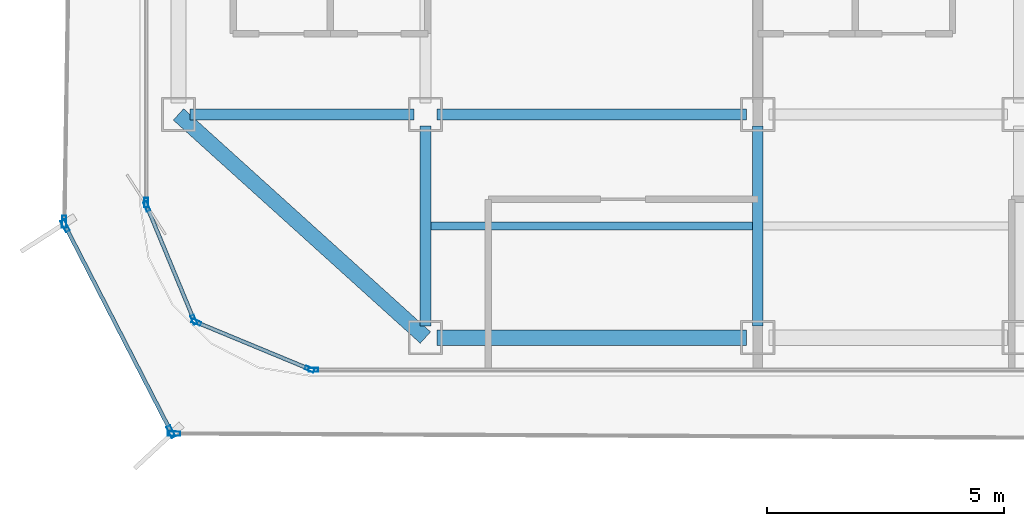
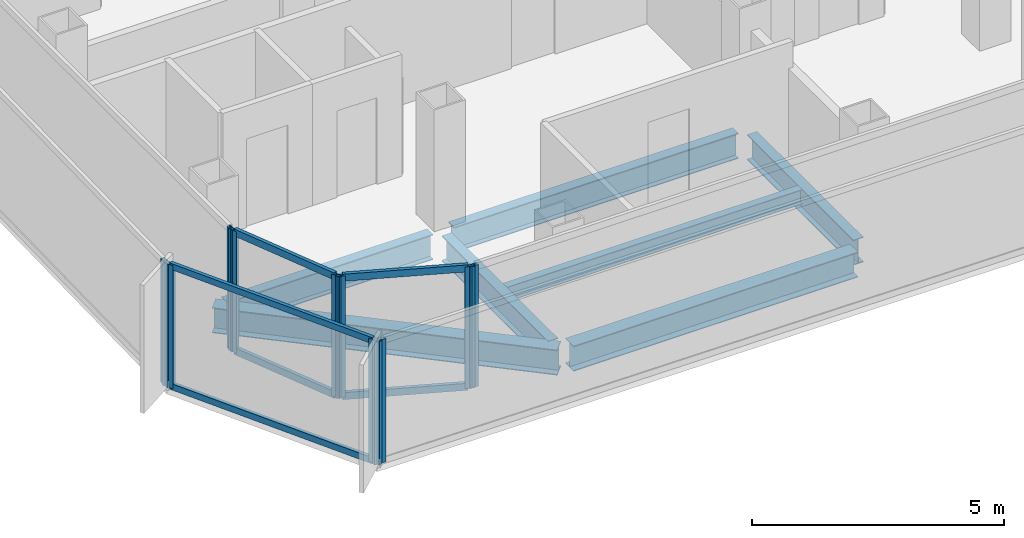
# One storey, part 2 of 16: 16 members, 7 beams, 7 elements without a shape of their own.
"""IFC4 building model written with IfcOpenShell, lengths in metres."""

import ifcopenshell
import ifcopenshell.guid

model = None  # the IFC model being written
_history = None  # IfcOwnerHistory: only IFC2X3 demands one
_inside = {}  # id of a spatial element -> (the spatial element, [elements in it])
_under = {}  # id of a project, library or spatial element -> (it, [spatial elements below it])
_declared = {}  # id of a project -> (the project, [libraries it declares])
_typed = {}  # id of a type object -> (the type object, [elements of that type])
_made_of = {}  # id of a material, layer set ... -> (it, [elements and type objects made of it])


def new_model(schema):
    """Start an empty IFC model of exactly this schema.

    Asked for "IFC4X3", IfcOpenShell would pick the latest addendum, in which some entities
    have other attributes; the version numbers below select the first issue.
    IFC2X3 requires an IfcOwnerHistory on every rooted entity: one is made here for all.
    """
    global model, _history
    if schema == "IFC4X3":
        model = ifcopenshell.file(schema_version=(4, 3, 0, 0))
    else:
        model = ifcopenshell.file(schema=schema)
    _inside.clear()
    _under.clear()
    _declared.clear()
    _typed.clear()
    _made_of.clear()
    _history = None
    if model.schema == "IFC2X3":
        org = make("IfcOrganization", Name="unknown")
        user = make(
            "IfcPersonAndOrganization",
            ThePerson=make("IfcPerson", FamilyName="unknown"),
            TheOrganization=org,
        )
        app = make(
            "IfcApplication",
            ApplicationDeveloper=org,
            Version="unknown",
            ApplicationFullName="unknown",
            ApplicationIdentifier="unknown",
        )
        _history = make(
            "IfcOwnerHistory",
            OwningUser=user,
            OwningApplication=app,
            ChangeAction="ADDED",
            CreationDate=0,
        )
    return model


def make(cls, **values):
    """One entity of the class cls with the attributes given. An attribute that is None is left unset."""
    return model.create_entity(
        cls, **{name: value for name, value in values.items() if value is not None}
    )


def rooted(cls, **values):
    """An entity with a GlobalId (a new one), such as an element, a storey or a relation."""
    return make(cls, GlobalId=ifcopenshell.guid.new(), OwnerHistory=_history, **values)


def si_unit(unit_type, name, prefix=None):
    """IfcSIUnit, for example si_unit("LENGTHUNIT", "METRE", prefix="MILLI")."""
    return make("IfcSIUnit", UnitType=unit_type, Prefix=prefix, Name=name)


def assignment(units):
    """IfcUnitAssignment: the units of a project."""
    return None if units is None else make("IfcUnitAssignment", Units=units)


def point(xyz):
    """IfcCartesianPoint."""
    return None if xyz is None else make("IfcCartesianPoint", Coordinates=xyz)


def direction(xyz):
    """IfcDirection."""
    return None if xyz is None else make("IfcDirection", DirectionRatios=xyz)


def frame(location, z_axis=None, x_axis=None):
    """IfcAxis2Placement3D, a coordinate frame: its origin and axes. An axis left out is left unset."""
    return make(
        "IfcAxis2Placement3D",
        Location=point(location),
        Axis=direction(z_axis),
        RefDirection=direction(x_axis),
    )


def frame_2d(location, x_axis=None):
    """IfcAxis2Placement2D, a coordinate frame in the plane: its origin and x axis."""
    return make(
        "IfcAxis2Placement2D", Location=point(location), RefDirection=direction(x_axis)
    )


def origin():
    """The frame at (0, 0, 0) with its axes left unset."""
    return frame((0.0, 0.0, 0.0))


def origin_2d():
    """The frame at (0, 0) in the plane with its x axis left unset."""
    return frame_2d((0.0, 0.0))


def place(relative_to, where):
    """IfcLocalPlacement: puts the frame where relative to a parent placement (None: the world)."""
    return make(
        "IfcLocalPlacement", PlacementRelTo=relative_to, RelativePlacement=where
    )


def context(
    kind, dimensions, precision=None, world=None, true_north=None, identifier=None
):
    """IfcGeometricRepresentationContext, for example the 3D "Model" context."""
    return make(
        "IfcGeometricRepresentationContext",
        ContextIdentifier=identifier,
        ContextType=kind,
        CoordinateSpaceDimension=dimensions,
        Precision=precision,
        WorldCoordinateSystem=world,
        TrueNorth=true_north,
    )


def subcontext(parent, identifier, kind, view, scale=None):
    """IfcGeometricRepresentationSubContext, for example "Body" below "Model"."""
    return make(
        "IfcGeometricRepresentationSubContext",
        ContextIdentifier=identifier,
        ContextType=kind,
        ParentContext=parent,
        TargetScale=scale,
        TargetView=view,
    )


def project(units=None, contexts=None):
    """IfcProject with its units and contexts."""
    return rooted(
        "IfcProject",
        Name="project",
        RepresentationContexts=contexts,
        UnitsInContext=assignment(units),
    )


def spatial(cls, under=None, at=None, **own):
    """A site, building, storey or space (cls), placed at a placement, below another one or the project."""
    s = rooted(cls, ObjectPlacement=at, **own)
    if under is not None:
        _under.setdefault(under.id(), (under, []))[1].append(s)
    return s


def profile(cls, at=None, kind="AREA", **sizes):
    """A parametric profile (cls). Its sizes go by their IFC names, for example OverallWidth=200.0."""
    return make(cls, ProfileType=kind, Position=at, **sizes)


def hollow_rectangle(**sizes):
    """IfcRectangleHollowProfileDef."""
    return profile("IfcRectangleHollowProfileDef", **sizes)


def i_section(**sizes):
    """IfcIShapeProfileDef."""
    return profile("IfcIShapeProfileDef", **sizes)


def extrude(swept, where, along, depth):
    """IfcExtrudedAreaSolid: the profile swept, set in the frame where, extruded along a direction by depth."""
    return make(
        "IfcExtrudedAreaSolid",
        SweptArea=swept,
        Position=where,
        ExtrudedDirection=direction(along),
        Depth=depth,
    )


def shape(context_of_items, identifier, shape_type, items):
    """IfcShapeRepresentation: the items that make up one representation, for example the "Body"."""
    return make(
        "IfcShapeRepresentation",
        ContextOfItems=context_of_items,
        RepresentationIdentifier=identifier,
        RepresentationType=shape_type,
        Items=items,
    )


def source(mapping_origin, context_of_items, identifier, shape_type, items):
    """IfcRepresentationMap: a shape defined once, which mapped items show again and again."""
    return make(
        "IfcRepresentationMap",
        MappingOrigin=mapping_origin,
        MappedRepresentation=shape(context_of_items, identifier, shape_type, items),
    )


def transform(
    local_origin,
    x_axis=None,
    y_axis=None,
    z_axis=None,
    scale=None,
    scale2=None,
    scale3=None,
    uniform=True,
):
    """IfcCartesianTransformationOperator3D, or its non-uniform kind. x_axis, y_axis, z_axis: its Axis1, 2, 3."""
    if uniform:
        return make(
            "IfcCartesianTransformationOperator3D",
            Axis1=direction(x_axis),
            Axis2=direction(y_axis),
            LocalOrigin=point(local_origin),
            Scale=scale,
            Axis3=direction(z_axis),
        )
    return make(
        "IfcCartesianTransformationOperator3DnonUniform",
        Axis1=direction(x_axis),
        Axis2=direction(y_axis),
        LocalOrigin=point(local_origin),
        Scale=scale,
        Axis3=direction(z_axis),
        Scale2=scale2,
        Scale3=scale3,
    )


def mapped(mapping_source, mapping_target):
    """IfcMappedItem: shows the shape of a source again, moved by a transform."""
    return make(
        "IfcMappedItem", MappingSource=mapping_source, MappingTarget=mapping_target
    )


def material(Name=None, Category=None):
    """IfcMaterial."""
    return make("IfcMaterial", Name=Name, Category=Category)


def layer(
    of_material, thickness, ventilated=None, Name=None, Category=None, Priority=None
):
    """IfcMaterialLayer: one layer of a wall or slab, of a material (None: an air gap)."""
    return make(
        "IfcMaterialLayer",
        Material=of_material,
        LayerThickness=thickness,
        IsVentilated=ventilated,
        Name=Name,
        Category=Category,
        Priority=Priority,
    )


def layer_set(layers, Name=None):
    """IfcMaterialLayerSet."""
    return make("IfcMaterialLayerSet", MaterialLayers=layers, LayerSetName=Name)


def material_profile(
    of_material, cross_section, Name=None, Category=None, Priority=None
):
    """IfcMaterialProfile: a cross section and its material."""
    return make(
        "IfcMaterialProfile",
        Name=Name,
        Material=of_material,
        Profile=cross_section,
        Priority=Priority,
        Category=Category,
    )


def profile_set(profiles, Name=None, composite=None):
    """IfcMaterialProfileSet."""
    return make(
        "IfcMaterialProfileSet",
        Name=Name,
        MaterialProfiles=profiles,
        CompositeProfile=composite,
    )


def made_of(thing, what):
    """Note that an element or type object is made of a material, layer set ...; save() writes the relation."""
    if what is not None:
        _made_of.setdefault(what.id(), (what, []))[1].append(thing)
    return thing


def type_object(cls, material=None, **own):
    """A type object (cls), such as IfcWallType, which elements share."""
    return made_of(rooted(cls, **own), material)


def element(
    cls,
    number,
    at=None,
    inside=None,
    cuts=None,
    type_object=None,
    material=None,
    context=None,
    identifier="Body",
    shape_type=None,
    held_by="IfcProductDefinitionShape",
    body=None,
    shapes=None,
    **own,
):
    """One element of the class cls, such as IfcWall. Its Tag is "e" and its number.

    at: its placement. inside: the storey or other place that contains it. cuts: it is an
    opening in that element (IfcRelVoidsElement). A single representation is given by context,
    identifier, shape_type and body (its items); several are given by shapes. held_by: the class
    of the entity that holds the representations. save() writes the other relations.
    """
    e = rooted(cls, Tag="e%d" % number, ObjectPlacement=at, **own)
    if body is not None:
        shapes = [shape(context, identifier, shape_type, body)]
    if shapes is not None:
        e.Representation = make(held_by, Representations=shapes)
    if inside is not None:
        _inside.setdefault(inside.id(), (inside, []))[1].append(e)
    if cuts is not None:
        rooted(
            "IfcRelVoidsElement", RelatingBuildingElement=cuts, RelatedOpeningElement=e
        )
    if type_object is not None:
        _typed.setdefault(type_object.id(), (type_object, []))[1].append(e)
    return made_of(e, material)


def aggregate(whole, parts):
    """IfcRelAggregates: a whole, such as a stair, and the parts it consists of."""
    return rooted("IfcRelAggregates", RelatingObject=whole, RelatedObjects=parts)


def save(model, path):
    """Write the relations noted so far, then the file.

    IfcRelAggregates (storeys below a building ...), IfcRelContainedInSpatialStructure (elements
    in a storey), IfcRelDefinesByType, IfcRelAssociatesMaterial and IfcRelDeclares: one each for
    every whole, place, type object, material and project.
    """
    for whole, parts in _under.values():
        aggregate(whole, parts)
    for where, things in _inside.values():
        rooted(
            "IfcRelContainedInSpatialStructure",
            RelatedElements=things,
            RelatingStructure=where,
        )
    for kind, things in _typed.values():
        rooted("IfcRelDefinesByType", RelatedObjects=things, RelatingType=kind)
    for what, things in _made_of.values():
        rooted("IfcRelAssociatesMaterial", RelatedObjects=things, RelatingMaterial=what)
    for by, libraries in _declared.values():
        rooted("IfcRelDeclares", RelatingContext=by, RelatedDefinitions=libraries)
    model.write(path)


model = new_model("IFC4")

# Units and contexts
model_context = context("Model", 3, precision=1e-05, world=origin(), true_north=direction((0.0, 1.0)))
body_context = subcontext(model_context, "Body", "Model", "MODEL_VIEW")
ifc_project = project(units=[si_unit("LENGTHUNIT", "METRE"), si_unit("AREAUNIT", "SQUARE_METRE"), si_unit("VOLUMEUNIT", "CUBIC_METRE"), si_unit("PLANEANGLEUNIT", "RADIAN"), si_unit("MASSUNIT", "GRAM", prefix="KILO")], contexts=[model_context])

# Site, building, storey
site_placement = place(None, origin())
site = spatial("IfcSite", under=ifc_project, at=site_placement, CompositionType="ELEMENT")
building_placement = place(site_placement, origin())
building = spatial("IfcBuilding", under=site, at=building_placement, Name="Kolveth Station Tower", CompositionType="ELEMENT")
storey_placement = place(building_placement, frame((0.0, 0.0, 209.199951171875)))
storey = spatial("IfcBuildingStorey", under=building, at=storey_placement, Name="L59", CompositionType="ELEMENT", Elevation=209.199951171875)

# Beams
ifc_material_1 = material(Name="Steel S355", Category="steel")
ifc_material_profile_1 = material_profile(ifc_material_1, i_section(OverallWidth=0.323974609375, OverallDepth=0.611083984375, WebThickness=0.0126953125, FlangeThickness=0.01904296875, at=origin_2d()), Name="W610x155")
ifc_profile_set_1 = profile_set([ifc_material_profile_1], Name="Steel S355")
beam_type_1 = type_object("IfcBeamType", Name="Beam_SP2", PredefinedType="SPANDREL", material=ifc_profile_set_1)
shared_shape_1 = source(origin(), body_context, "Body", "SweptSolid", [
    extrude(i_section(OverallWidth=0.323974609375, OverallDepth=0.611083984375, WebThickness=0.0126953125, FlangeThickness=0.01904296875, at=origin_2d()), origin(), (0.0, 0.0, 1.0), 7.00927734375),
])
beam_1_placement = place(storey_placement, frame((0.800048828125, 5.5, -0.555419921875), z_axis=(0.741874009795, -0.670539300557, 0.0), x_axis=(0.670539300557, 0.741874009795, 0.0)))
element("IfcBeam", 1, at=beam_1_placement, inside=storey, type_object=beam_type_1, Name="L59 Corner Edge Girder BM-L59-CNR-SW", PredefinedType="SPANDREL", context=body_context, shape_type="MappedRepresentation", body=[
    mapped(shared_shape_1, transform((0.0, 0.0, 0.0), x_axis=(1.0, 0.0, 0.0), y_axis=(0.0, 1.0, 0.0), z_axis=(0.0, 0.0, 1.0), scale=1.0)),
])
shared_shape_2 = source(origin(), body_context, "Body", "SweptSolid", [
    extrude(i_section(OverallWidth=0.323974609375, OverallDepth=0.611083984375, WebThickness=0.0126953125, FlangeThickness=0.01904296875, at=origin_2d()), origin(), (0.0, 0.0, 1.0), 6.52001953125),
])
beam_2_placement = place(storey_placement, frame((6.239990234375, 0.800048828125, -0.555419921875), z_axis=(1.0, 0.0, 0.0), x_axis=(0.0, 1.0, 0.0)))
element("IfcBeam", 2, at=beam_2_placement, inside=storey, type_object=beam_type_1, Name="L59 Perimeter Spandrel BM-L59-PS-1", PredefinedType="SPANDREL", context=body_context, shape_type="MappedRepresentation", body=[
    mapped(shared_shape_2, transform((0.0, 0.0, 0.0), x_axis=(1.0, 0.0, 0.0), y_axis=(0.0, 1.0, 0.0), z_axis=(0.0, 0.0, 1.0), scale=1.0)),
])
ifc_material_profile_2 = material_profile(ifc_material_1, i_section(OverallWidth=0.22900390625, OverallDepth=0.612060546875, WebThickness=0.011962890625, FlangeThickness=0.01953125, at=origin_2d()), Name="W610x125")
ifc_profile_set_2 = profile_set([ifc_material_profile_2], Name="Steel S355")
beam_type_2 = type_object("IfcBeamType", Name="Beam_B5", PredefinedType="BEAM", material=ifc_profile_set_2)
shared_shape_3 = source(origin(), body_context, "Body", "SweptSolid", [
    extrude(i_section(OverallWidth=0.22900390625, OverallDepth=0.612060546875, WebThickness=0.011962890625, FlangeThickness=0.01953125, at=origin_2d()), origin(), (0.0, 0.0, 1.0), 4.719970703125),
])
beam_3_placement = place(storey_placement, frame((1.0400390625, 5.5, -0.555908203125), z_axis=(1.0, 0.0, 0.0), x_axis=(0.0, 1.0, 0.0)))
element("IfcBeam", 3, at=beam_3_placement, inside=storey, type_object=beam_type_2, Name="L59 Primary Girder BM-L59-GY55-1", PredefinedType="BEAM", context=body_context, shape_type="MappedRepresentation", body=[
    mapped(shared_shape_3, transform((0.0, 0.0, 0.0), x_axis=(1.0, 0.0, 0.0), y_axis=(0.0, 1.0, 0.0), z_axis=(0.0, 0.0, 1.0), scale=1.0)),
])
shared_shape_4 = source(origin(), body_context, "Body", "SweptSolid", [
    extrude(i_section(OverallWidth=0.22900390625, OverallDepth=0.612060546875, WebThickness=0.011962890625, FlangeThickness=0.01953125, at=origin_2d()), origin(), (0.0, 0.0, 1.0), 6.52001953125),
])
beam_4_placement = place(storey_placement, frame((6.239990234375, 5.5, -0.555908203125), z_axis=(1.0, 0.0, 0.0), x_axis=(0.0, 1.0, 0.0)))
element("IfcBeam", 4, at=beam_4_placement, inside=storey, type_object=beam_type_2, Name="L59 Primary Girder BM-L59-GY55-2", PredefinedType="BEAM", context=body_context, shape_type="MappedRepresentation", body=[
    mapped(shared_shape_4, transform((0.0, 0.0, 0.0), x_axis=(1.0, 0.0, 0.0), y_axis=(0.0, 1.0, 0.0), z_axis=(0.0, 0.0, 1.0), scale=1.0)),
])
shared_shape_5 = source(origin(), body_context, "Body", "SweptSolid", [
    extrude(i_section(OverallWidth=0.22900390625, OverallDepth=0.612060546875, WebThickness=0.011962890625, FlangeThickness=0.01953125, at=origin_2d()), origin(), (0.0, 0.0, 1.0), 4.219970703125),
])
for number, where, z_axis, x_axis, name in (
    (5, (6.0, 1.0400390625, -0.555908203125), (0.0, 1.0, 0.0), (-1.0, 0.0, 0.0), "L59 Primary Girder BM-L59-GX60-1"),
    (6, (13.0, 1.0400390625, -0.555908203125), (0.0, 1.0, 0.0), (-1.0, 0.0, 0.0), "L59 Primary Girder BM-L59-GX130-1"),
):
    element("IfcBeam", number, at=place(storey_placement, frame(where, z_axis=z_axis, x_axis=x_axis)), inside=storey, type_object=beam_type_2, Name=name, PredefinedType="BEAM", context=body_context, shape_type="MappedRepresentation", body=[
        mapped(shared_shape_5, transform((0.0, 0.0, 0.0), x_axis=(1.0, 0.0, 0.0), y_axis=(0.0, 1.0, 0.0), z_axis=(0.0, 0.0, 1.0), scale=1.0)),
    ])
ifc_material_profile_3 = material_profile(ifc_material_1, i_section(OverallWidth=0.1708984375, OverallDepth=0.35205078125, WebThickness=0.0068359375, FlangeThickness=0.009765625, at=origin_2d()), Name="W360x44")
ifc_profile_set_3 = profile_set([ifc_material_profile_3], Name="Steel S355")
beam_type_3 = type_object("IfcBeamType", Name="Beam_J2", PredefinedType="JOIST", material=ifc_profile_set_3)
shared_shape_6 = source(origin(), body_context, "Body", "SweptSolid", [
    extrude(i_section(OverallWidth=0.1708984375, OverallDepth=0.35205078125, WebThickness=0.0068359375, FlangeThickness=0.009765625, at=origin_2d()), origin(), (0.0, 0.0, 1.0), 6.77490234375),
])
beam_5_placement = place(storey_placement, frame((6.112548828125, 3.14990234375, -0.426025390625), z_axis=(1.0, 0.0, 0.0), x_axis=(0.0, 1.0, 0.0)))
element("IfcBeam", 7, at=beam_5_placement, inside=storey, type_object=beam_type_3, Name="L59 Secondary Joist JST-L59-2-1", PredefinedType="JOIST", context=body_context, shape_type="MappedRepresentation", body=[
    mapped(shared_shape_6, transform((0.0, 0.0, 0.0), x_axis=(1.0, 0.0, 0.0), y_axis=(0.0, 1.0, 0.0), z_axis=(0.0, 0.0, 1.0), scale=1.0)),
])

# Curtain wall, member
ifc_material_2 = material(Name="Aluminium 6063-T6 and low-E dark glass", Category="aluminium")
ifc_layer_1 = layer(ifc_material_2, 0.18994140625)
ifc_layer_set_1 = layer_set([ifc_layer_1], Name="Aluminium 6063-T6 and low-E dark glass")
curtain_wall_type_1 = type_object("IfcCurtainWallType", Name="CurtainWall_CW-Z2", PredefinedType="NOTDEFINED", material=ifc_layer_set_1)
curtain_wall_1_placement = place(storey_placement, origin())
curtain_wall_1 = element("IfcCurtainWall", 8, at=curtain_wall_1_placement, inside=storey, type_object=curtain_wall_type_1, Name="L59 Inner Thermal Curtain Wall 9", PredefinedType="NOTDEFINED")
ifc_material_3 = material(Name="Black anodized aluminium 6063-T6", Category="aluminium")
ifc_material_profile_4 = material_profile(ifc_material_3, hollow_rectangle(XDim=0.080078125, YDim=0.199951171875, WallThickness=0.0048828125, at=origin_2d()), Name="ALU-80x200x5")
ifc_profile_set_4 = profile_set([ifc_material_profile_4], Name="Black anodized aluminium 6063-T6")
member_type_1 = type_object("IfcMemberType", Name="Mullion_ML2", PredefinedType="MULLION", material=ifc_profile_set_4)
shared_shape_7 = source(origin(), body_context, "Body", "SweptSolid", [
    extrude(hollow_rectangle(XDim=0.080078125, YDim=0.199951171875, WallThickness=0.0048828125, at=origin_2d()), origin(), (0.0, 0.0, 1.0), 2.949951171875),
])
member_1_placement = place(storey_placement, frame((0.1201171875, 3.639892578125, 0.0), z_axis=(0.0, 0.0, 1.0), x_axis=(1.0, 0.0, 0.0)))
member_1 = element("IfcMember", 9, at=member_1_placement, type_object=member_type_1, Name="CW-Z2 mullion 2", PredefinedType="MULLION", context=body_context, shape_type="MappedRepresentation", body=[
    mapped(shared_shape_7, transform((0.0, 0.0, 0.0), x_axis=(1.0, 0.0, 0.0), y_axis=(0.0, 1.0, 0.0), z_axis=(0.0, 0.0, 1.0), scale=1.0)),
])
aggregate(curtain_wall_1, [member_1])

# Curtain wall, members
curtain_wall_2_placement = place(storey_placement, origin())
curtain_wall_2 = element("IfcCurtainWall", 10, at=curtain_wall_2_placement, inside=storey, type_object=curtain_wall_type_1, Name="L59 Inner Thermal Curtain Wall 10", PredefinedType="NOTDEFINED")
member_2_placement = place(storey_placement, frame((0.13525390625, 3.56298828125, 0.0), z_axis=(0.0, 0.0, 1.0), x_axis=(0.923873600544, 0.382697753087, 0.0)))
member_2 = element("IfcMember", 11, at=member_2_placement, type_object=member_type_1, Name="CW-Z2 mullion 1", PredefinedType="MULLION", context=body_context, shape_type="MappedRepresentation", body=[
    mapped(shared_shape_7, transform((0.0, 0.0, 0.0), x_axis=(1.0, 0.0, 0.0), y_axis=(0.0, 1.0, 0.0), z_axis=(0.0, 0.0, 1.0), scale=1.0)),
])
member_3_placement = place(storey_placement, frame((1.1240234375, 1.17626953125, 0.0), z_axis=(0.0, 0.0, 1.0), x_axis=(0.923873600544, 0.382697753087, 0.0)))
member_3 = element("IfcMember", 12, at=member_3_placement, type_object=member_type_1, Name="CW-Z2 mullion 2", PredefinedType="MULLION", context=body_context, shape_type="MappedRepresentation", body=[
    mapped(shared_shape_7, transform((0.0, 0.0, 0.0), x_axis=(1.0, 0.0, 0.0), y_axis=(0.0, 1.0, 0.0), z_axis=(0.0, 0.0, 1.0), scale=1.0)),
])

curtain_wall_3_placement = place(storey_placement, origin())
curtain_wall_3 = element("IfcCurtainWall", 13, at=curtain_wall_3_placement, inside=storey, type_object=curtain_wall_type_1, Name="L59 Inner Thermal Curtain Wall 11", PredefinedType="NOTDEFINED")
member_4_placement = place(storey_placement, frame((1.17626953125, 1.1240234375, 0.0), z_axis=(0.0, 0.0, 1.0), x_axis=(0.382697753087, 0.923873600544, 0.0)))
member_4 = element("IfcMember", 14, at=member_4_placement, type_object=member_type_1, Name="CW-Z2 mullion 1", PredefinedType="MULLION", context=body_context, shape_type="MappedRepresentation", body=[
    mapped(shared_shape_7, transform((0.0, 0.0, 0.0), x_axis=(1.0, 0.0, 0.0), y_axis=(0.0, 1.0, 0.0), z_axis=(0.0, 0.0, 1.0), scale=1.0)),
])
member_5_placement = place(storey_placement, frame((3.56298828125, 0.13525390625, 0.0), z_axis=(0.0, 0.0, 1.0), x_axis=(0.382697753087, 0.923873600544, 0.0)))
member_5 = element("IfcMember", 15, at=member_5_placement, type_object=member_type_1, Name="CW-Z2 mullion 2", PredefinedType="MULLION", context=body_context, shape_type="MappedRepresentation", body=[
    mapped(shared_shape_7, transform((0.0, 0.0, 0.0), x_axis=(1.0, 0.0, 0.0), y_axis=(0.0, 1.0, 0.0), z_axis=(0.0, 0.0, 1.0), scale=1.0)),
])

# Curtain wall, member
curtain_wall_4_placement = place(storey_placement, origin())
curtain_wall_4 = element("IfcCurtainWall", 16, at=curtain_wall_4_placement, inside=storey, type_object=curtain_wall_type_1, Name="L59 Inner Thermal Curtain Wall 12", PredefinedType="NOTDEFINED")
member_6_placement = place(storey_placement, frame((3.639892578125, 0.1201171875, 0.0), z_axis=(0.0, 0.0, 1.0), x_axis=(0.0, 1.0, 0.0)))
member_6 = element("IfcMember", 17, at=member_6_placement, type_object=member_type_1, Name="CW-Z2 mullion 1", PredefinedType="MULLION", context=body_context, shape_type="MappedRepresentation", body=[
    mapped(shared_shape_7, transform((0.0, 0.0, 0.0), x_axis=(1.0, 0.0, 0.0), y_axis=(0.0, 1.0, 0.0), z_axis=(0.0, 0.0, 1.0), scale=1.0)),
])
aggregate(curtain_wall_4, [member_6])

ifc_material_4 = material(Name="Black anodized aluminium 6063-T6 and dark solar glass", Category="aluminium")
ifc_layer_2 = layer(ifc_material_4, 0.159912109375)
ifc_layer_set_2 = layer_set([ifc_layer_2], Name="Black anodized aluminium 6063-T6 and dark solar glass")
curtain_wall_type_2 = type_object("IfcCurtainWallType", Name="OUTER SKIN CW-OS", PredefinedType="NOTDEFINED", material=ifc_layer_set_2)
curtain_wall_5_placement = place(storey_placement, origin())
curtain_wall_5 = element("IfcCurtainWall", 18, at=curtain_wall_5_placement, inside=storey, type_object=curtain_wall_type_2, Name="L59 Outer Ventilated Skin Curtain Wall 6", PredefinedType="NOTDEFINED")
ifc_material_profile_5 = material_profile(ifc_material_3, hollow_rectangle(XDim=0.090087890625, YDim=0.260009765625, WallThickness=0.0048828125, at=origin_2d()), Name="ALU-90x260x5")
ifc_profile_set_5 = profile_set([ifc_material_profile_5], Name="Black anodized aluminium 6063-T6")
member_type_2 = type_object("IfcMemberType", Name="FIN MULLION ML-OS", PredefinedType="MULLION", material=ifc_profile_set_5)
shared_shape_8 = source(origin(), body_context, "Body", "SweptSolid", [
    extrude(hollow_rectangle(XDim=0.090087890625, YDim=0.260009765625, WallThickness=0.0048828125, at=origin_2d()), origin(), (0.0, 0.0, 1.0), 2.989990234375),
])
member_7_placement = place(storey_placement, frame((-1.607421875, 3.239990234375, 0.0), z_axis=(0.0, 0.0, 1.0), x_axis=(0.999876442304, -0.015719418751, 0.0)))
member_7 = element("IfcMember", 19, at=member_7_placement, type_object=member_type_2, Name="CW-OS mullion 2", PredefinedType="MULLION", context=body_context, shape_type="MappedRepresentation", body=[
    mapped(shared_shape_8, transform((0.0, 0.0, 0.0), x_axis=(1.0, 0.0, 0.0), y_axis=(0.0, 1.0, 0.0), z_axis=(0.0, 0.0, 1.0), scale=1.0)),
])
aggregate(curtain_wall_5, [member_7])

# Curtain wall, members
curtain_wall_6_placement = place(storey_placement, origin())
curtain_wall_6 = element("IfcCurtainWall", 20, at=curtain_wall_6_placement, inside=storey, type_object=curtain_wall_type_2, Name="L59 Outer Ventilated Skin Curtain Wall 7", PredefinedType="NOTDEFINED")
member_8_placement = place(storey_placement, frame((-1.58740234375, 3.15478515625, 0.0), z_axis=(0.0, 0.0, 1.0), x_axis=(0.889255282708, 0.457411239669, 0.0)))
member_8 = element("IfcMember", 21, at=member_8_placement, type_object=member_type_2, Name="CW-OS mullion 1", PredefinedType="MULLION", context=body_context, shape_type="MappedRepresentation", body=[
    mapped(shared_shape_8, transform((0.0, 0.0, 0.0), x_axis=(1.0, 0.0, 0.0), y_axis=(0.0, 1.0, 0.0), z_axis=(0.0, 0.0, 1.0), scale=1.0)),
])
member_9_placement = place(storey_placement, frame((0.643310546875, -1.182373046875, 0.0), z_axis=(0.0, 0.0, 1.0), x_axis=(0.889255282708, 0.457411239669, 0.0)))
member_9 = element("IfcMember", 22, at=member_9_placement, type_object=member_type_2, Name="CW-OS mullion 2", PredefinedType="MULLION", context=body_context, shape_type="MappedRepresentation", body=[
    mapped(shared_shape_8, transform((0.0, 0.0, 0.0), x_axis=(1.0, 0.0, 0.0), y_axis=(0.0, 1.0, 0.0), z_axis=(0.0, 0.0, 1.0), scale=1.0)),
])

# Curtain wall, member
curtain_wall_7_placement = place(storey_placement, origin())
curtain_wall_7 = element("IfcCurtainWall", 23, at=curtain_wall_7_placement, inside=storey, type_object=curtain_wall_type_2, Name="L59 Outer Ventilated Skin Curtain Wall 8", PredefinedType="NOTDEFINED")
member_10_placement = place(storey_placement, frame((0.708984375, -1.222412109375, 0.0), z_axis=(0.0, 0.0, 1.0), x_axis=(0.004894017169, 0.999988024226, 0.0)))
member_10 = element("IfcMember", 24, at=member_10_placement, type_object=member_type_2, Name="CW-OS mullion 1", PredefinedType="MULLION", context=body_context, shape_type="MappedRepresentation", body=[
    mapped(shared_shape_8, transform((0.0, 0.0, 0.0), x_axis=(1.0, 0.0, 0.0), y_axis=(0.0, 1.0, 0.0), z_axis=(0.0, 0.0, 1.0), scale=1.0)),
])
aggregate(curtain_wall_7, [member_10])

# Member
ifc_material_profile_6 = material_profile(ifc_material_3, hollow_rectangle(XDim=0.080078125, YDim=0.169921875, WallThickness=0.0048828125, at=origin_2d()), Name="ALU-80x170x5")
ifc_profile_set_6 = profile_set([ifc_material_profile_6], Name="Black anodized aluminium 6063-T6")
member_type_3 = type_object("IfcMemberType", Name="Transom_TR2", PredefinedType="USERDEFINED", material=ifc_profile_set_6)
shared_shape_9 = source(origin(), body_context, "Body", "SweptSolid", [
    extrude(hollow_rectangle(XDim=0.080078125, YDim=0.169921875, WallThickness=0.0048828125, at=origin_2d()), origin(), (0.0, 0.0, 1.0), 2.50341796875),
])
member_11_placement = place(storey_placement, frame((0.150634765625, 3.526123046875, 0.0400390625), z_axis=(0.382661849723, -0.923888472039, 0.0), x_axis=(0.923888472039, 0.382661849723, 0.0)))
member_11 = element("IfcMember", 25, at=member_11_placement, type_object=member_type_3, Name="CW-Z2 transom 1.1", ObjectType="TRANSOM", PredefinedType="USERDEFINED", context=body_context, shape_type="MappedRepresentation", body=[
    mapped(shared_shape_9, transform((0.0, 0.0, 0.0), x_axis=(1.0, 0.0, 0.0), y_axis=(0.0, 1.0, 0.0), z_axis=(0.0, 0.0, 1.0), scale=1.0)),
])

member_12_placement = place(storey_placement, frame((0.150634765625, 3.526123046875, 2.91015625), z_axis=(0.382661849723, -0.923888472039, 0.0), x_axis=(0.923888472039, 0.382661849723, 0.0)))
member_12 = element("IfcMember", 26, at=member_12_placement, type_object=member_type_3, Name="CW-Z2 transom 1.2", ObjectType="TRANSOM", PredefinedType="USERDEFINED", context=body_context, shape_type="MappedRepresentation", body=[
    mapped(shared_shape_9, transform((0.0, 0.0, 0.0), x_axis=(1.0, 0.0, 0.0), y_axis=(0.0, 1.0, 0.0), z_axis=(0.0, 0.0, 1.0), scale=1.0)),
])

aggregate(curtain_wall_2, [member_2, member_3, member_11, member_12])

member_13_placement = place(storey_placement, frame((1.213134765625, 1.108642578125, 0.0400390625), z_axis=(0.923888472039, -0.382661849723, 0.0), x_axis=(0.382661849723, 0.923888472039, 0.0)))
member_13 = element("IfcMember", 27, at=member_13_placement, type_object=member_type_3, Name="CW-Z2 transom 1.1", ObjectType="TRANSOM", PredefinedType="USERDEFINED", context=body_context, shape_type="MappedRepresentation", body=[
    mapped(shared_shape_9, transform((0.0, 0.0, 0.0), x_axis=(1.0, 0.0, 0.0), y_axis=(0.0, 1.0, 0.0), z_axis=(0.0, 0.0, 1.0), scale=1.0)),
])

member_14_placement = place(storey_placement, frame((1.213134765625, 1.108642578125, 2.91015625), z_axis=(0.923888472039, -0.382661849723, 0.0), x_axis=(0.382661849723, 0.923888472039, 0.0)))
member_14 = element("IfcMember", 28, at=member_14_placement, type_object=member_type_3, Name="CW-Z2 transom 1.2", ObjectType="TRANSOM", PredefinedType="USERDEFINED", context=body_context, shape_type="MappedRepresentation", body=[
    mapped(shared_shape_9, transform((0.0, 0.0, 0.0), x_axis=(1.0, 0.0, 0.0), y_axis=(0.0, 1.0, 0.0), z_axis=(0.0, 0.0, 1.0), scale=1.0)),
])

aggregate(curtain_wall_3, [member_4, member_5, member_13, member_14])

ifc_material_profile_7 = material_profile(ifc_material_3, hollow_rectangle(XDim=0.080078125, YDim=0.14990234375, WallThickness=0.0048828125, at=origin_2d()), Name="ALU-80x150x5")
ifc_profile_set_7 = profile_set([ifc_material_profile_7], Name="Black anodized aluminium 6063-T6")
member_type_4 = type_object("IfcMemberType", Name="Transom_TR-OS", PredefinedType="USERDEFINED", material=ifc_profile_set_7)
shared_shape_10 = source(origin(), body_context, "Body", "SweptSolid", [
    extrude(hollow_rectangle(XDim=0.080078125, YDim=0.14990234375, WallThickness=0.0048828125, at=origin_2d()), origin(), (0.0, 0.0, 1.0), 4.787109375),
])
member_15_placement = place(storey_placement, frame((-1.56689453125, 3.11474609375, 0.0400390625), z_axis=(0.457404475368, -0.889258762067, 0.0), x_axis=(0.889258762067, 0.457404475368, 0.0)))
member_15 = element("IfcMember", 29, at=member_15_placement, type_object=member_type_4, Name="CW-OS transom 1.1", ObjectType="TRANSOM", PredefinedType="USERDEFINED", context=body_context, shape_type="MappedRepresentation", body=[
    mapped(shared_shape_10, transform((0.0, 0.0, 0.0), x_axis=(1.0, 0.0, 0.0), y_axis=(0.0, 1.0, 0.0), z_axis=(0.0, 0.0, 1.0), scale=1.0)),
])

member_16_placement = place(storey_placement, frame((-1.56689453125, 3.11474609375, 2.949951171875), z_axis=(0.457404475368, -0.889258762067, 0.0), x_axis=(0.889258762067, 0.457404475368, 0.0)))
member_16 = element("IfcMember", 30, at=member_16_placement, type_object=member_type_4, Name="CW-OS transom 1.2", ObjectType="TRANSOM", PredefinedType="USERDEFINED", context=body_context, shape_type="MappedRepresentation", body=[
    mapped(shared_shape_10, transform((0.0, 0.0, 0.0), x_axis=(1.0, 0.0, 0.0), y_axis=(0.0, 1.0, 0.0), z_axis=(0.0, 0.0, 1.0), scale=1.0)),
])

aggregate(curtain_wall_6, [member_8, member_9, member_15, member_16])

save(model, "model.ifc")
